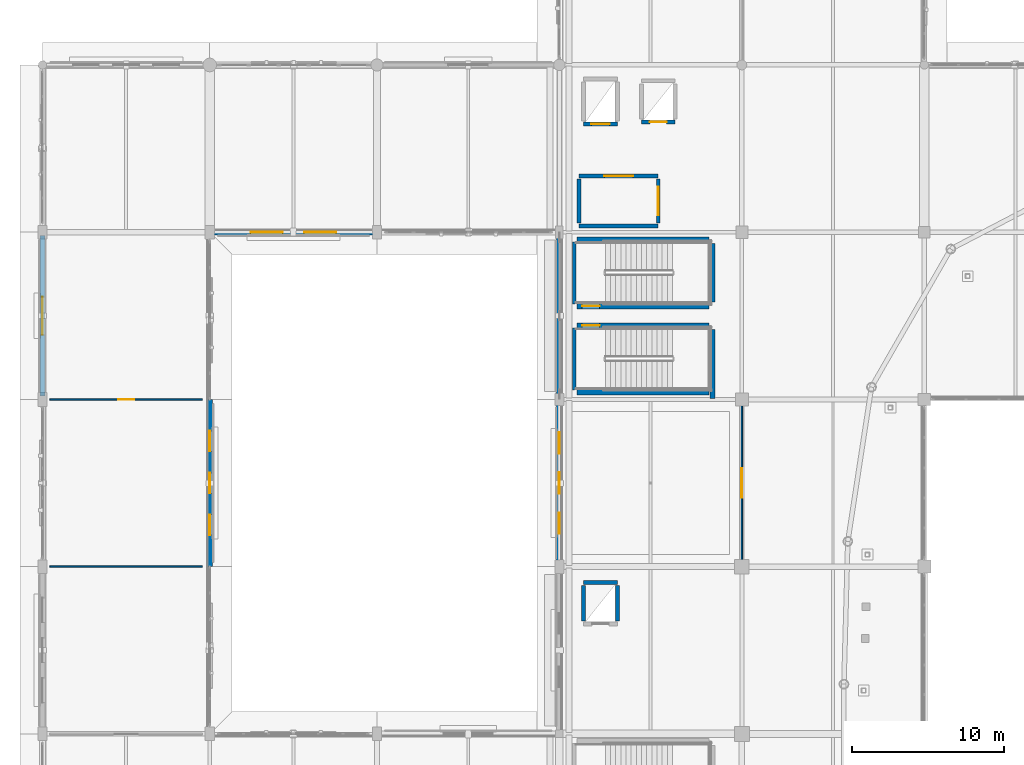
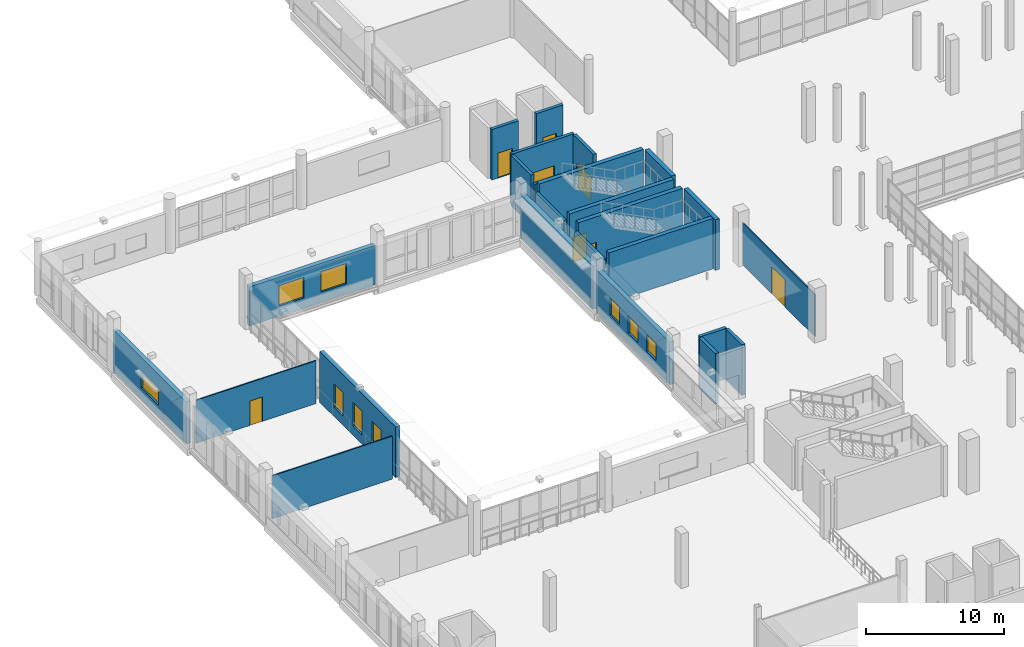
# One storey, part 94 of 143: 25 walls, 9 windows, 8 doors, 17 openings.
"""IFC4 building model written with IfcOpenShell, lengths in metres."""

from ifc_helpers import new_model, si_unit, direction, frame, frame_2d, origin, place, context, subcontext, project, spatial, rectangle, extrude, material, layer, layer_set, type_object, element, fill, save


model = new_model("IFC4")

# Units and contexts
model_context = context("Model", 3, precision=1e-05, world=origin(), true_north=direction((0.0, 1.0)))
body_context = subcontext(model_context, "Body", "Model", "MODEL_VIEW")
ifc_project = project(units=[si_unit("LENGTHUNIT", "METRE"), si_unit("AREAUNIT", "SQUARE_METRE"), si_unit("VOLUMEUNIT", "CUBIC_METRE"), si_unit("PLANEANGLEUNIT", "RADIAN"), si_unit("MASSUNIT", "GRAM", prefix="KILO")], contexts=[model_context])

# Site, building, storey
site_placement = place(None, origin())
site = spatial("IfcSite", under=ifc_project, at=site_placement, CompositionType="ELEMENT")
building_placement = place(site_placement, origin())
building = spatial("IfcBuilding", under=site, at=building_placement, Name="Luwafu Chhajja Arena", CompositionType="ELEMENT")
storey_placement = place(building_placement, frame((0.0, 0.0, 5.39990234375)))
storey = spatial("IfcBuildingStorey", under=building, at=storey_placement, Name="L01", CompositionType="ELEMENT", Elevation=5.39990234375)

# Wall, opening, door
ifc_material_1 = material(Name="Gypsum plasterboard partition")
ifc_layer_1 = layer(ifc_material_1, 0.10009765625, Name="Gypsum plasterboard partition")
ifc_layer_set_1 = layer_set([ifc_layer_1], Name="Gypsum plasterboard partition")
wall_type_1 = type_object("IfcWallType", Name="Drywall Lining Partition 100", PredefinedType="PARTITIONING", material=ifc_layer_set_1)
wall_1_placement = place(storey_placement, frame((0.47998046875, 77.0, 0.0), z_axis=(0.0, 0.0, 1.0), x_axis=(1.0, 0.0, 0.0)))
wall_1 = element("IfcWall", 1, at=wall_1_placement, inside=storey, type_object=wall_type_1, Name="L01 Internal Partition 0216", PredefinedType="PARTITIONING", context=body_context, shape_type="SweptSolid", body=[
    extrude(rectangle(XDim=10.0400390625, YDim=0.10009765625, at=frame_2d((5.02001953125, 0.0))), origin(), (0.0, 0.0, 1.0), 3.7900390625),
])
opening_1_placement = place(wall_1_placement, frame((4.5, 0.0, 0.0)))
opening_1 = element("IfcOpeningElement", 2, at=opening_1_placement, cuts=wall_1, Name="Opening DR-28", PredefinedType="OPENING", context=body_context, shape_type="SweptSolid", body=[
    extrude(rectangle(XDim=1.0400390625, YDim=2.14990234375, at=frame_2d((0.52001953125, 1.074951171875))), frame((0.0, 0.06005859375, 0.0), z_axis=(0.0, -1.0, 0.0), x_axis=(1.0, 0.0, 0.0)), (0.0, 0.0, 1.0), 0.1201171875),
])
ifc_material_2 = material(Name="Moisture-resistant laminate leaf")
door_type_1 = type_object("IfcDoorType", Name="DR-28", OperationType="NOTDEFINED", PredefinedType="DOOR", material=ifc_material_2)
door_1_placement = place(opening_1_placement, origin())
door_1 = element("IfcDoor", 3, at=door_1_placement, inside=storey, type_object=door_type_1, Name="L01 Interior Door L01-D030", OperationType="SINGLE_SWING_RIGHT", OverallHeight=2.14990234375, OverallWidth=1.0400390625, PredefinedType="DOOR", context=body_context, shape_type="SweptSolid", body=[
    extrude(rectangle(XDim=1.0400390625, YDim=2.14990234375, at=frame_2d((0.52001953125, 1.074951171875))), frame((0.0, 0.02490234375, 0.0), z_axis=(0.0, -1.0, 0.0), x_axis=(1.0, 0.0, 0.0)), (0.0, 0.0, 1.0), 0.050048828125),
])
fill(opening_1, door_1)

wall_2_placement = place(storey_placement, frame((46.0, 66.219970703125, 0.0), z_axis=(0.0, 0.0, 1.0), x_axis=(0.0, 1.0, 0.0)))
wall_2 = element("IfcWall", 4, at=wall_2_placement, inside=storey, type_object=wall_type_1, Name="L01 Internal Partition 0223", PredefinedType="PARTITIONING", context=body_context, shape_type="SweptSolid", body=[
    extrude(rectangle(XDim=10.56005859375, YDim=0.10009765625, at=frame_2d((5.280029296875, 0.0))), origin(), (0.0, 0.0, 1.0), 3.70654296875),
])
opening_2_placement = place(wall_2_placement, frame((4.304931640625, 0.0, 0.0)))
opening_2 = element("IfcOpeningElement", 5, at=opening_2_placement, cuts=wall_2, Name="Opening DR-25", PredefinedType="OPENING", context=body_context, shape_type="SweptSolid", body=[
    extrude(rectangle(XDim=1.949951171875, YDim=2.39990234375, at=frame_2d((0.97509765625, 1.199951171875))), frame((0.0, 0.06005859375, 0.0), z_axis=(0.0, -1.0, 0.0), x_axis=(1.0, 0.0, 0.0)), (0.0, 0.0, 1.0), 0.1201171875),
])
ifc_material_3 = material(Name="Anodised bronze glazed double door")
door_type_2 = type_object("IfcDoorType", Name="DR-25", OperationType="DOUBLE_DOOR_SINGLE_SWING", PredefinedType="DOOR", material=ifc_material_3)
door_2_placement = place(opening_2_placement, origin())
door_2 = element("IfcDoor", 6, at=door_2_placement, inside=storey, type_object=door_type_2, Name="L01 Interior Door L01-D034", OperationType="DOUBLE_DOOR_SINGLE_SWING", OverallHeight=2.39990234375, OverallWidth=1.949951171875, PredefinedType="DOOR", context=body_context, shape_type="SweptSolid", body=[
    extrude(rectangle(XDim=1.949951171875, YDim=2.39990234375, at=frame_2d((0.97509765625, 1.199951171875))), frame((0.0, 0.02490234375, 0.0), z_axis=(0.0, -1.0, 0.0), x_axis=(1.0, 0.0, 0.0)), (0.0, 0.0, 1.0), 0.050048828125),
])
fill(opening_2, door_2)

# Wall
wall_3_placement = place(storey_placement, frame((0.47998046875, 66.0, 0.0), z_axis=(0.0, 0.0, 1.0), x_axis=(1.0, 0.0, 0.0)))
element("IfcWall", 7, at=wall_3_placement, inside=storey, type_object=wall_type_1, Name="L01 Internal Partition 0250", PredefinedType="PARTITIONING", context=body_context, shape_type="SweptSolid", body=[
    extrude(rectangle(XDim=10.0400390625, YDim=0.10009765625, at=frame_2d((5.02001953125, 0.0))), origin(), (0.0, 0.0, 1.0), 3.7900390625),
])

# Wall, opening, door
ifc_material_4 = material(Name="Concrete C40/50", Category="concrete")
ifc_layer_2 = layer(ifc_material_4, 0.260009765625, Name="Concrete C40/50")
ifc_layer_set_2 = layer_set([ifc_layer_2], Name="Concrete C40/50")
wall_type_2 = type_object("IfcWallType", Name="Firefighting Lobby Wall 260", PredefinedType="SOLIDWALL", material=ifc_layer_set_2)
wall_4_placement = place(storey_placement, frame((35.300048828125, 91.699951171875, 0.0), z_axis=(0.0, 0.0, 1.0), x_axis=(1.0, 0.0, 0.0)))
wall_4 = element("IfcWall", 8, at=wall_4_placement, inside=storey, type_object=wall_type_2, Name="L01 Core C3 Firefighting Lobby Wall N", PredefinedType="SOLIDWALL", context=body_context, shape_type="SweptSolid", body=[
    extrude(rectangle(XDim=5.199951171875, YDim=0.260009765625, at=frame_2d((2.60009765625, 0.0))), origin(), (0.0, 0.0, 1.0), 4.460205078125),
])
opening_3_placement = place(wall_4_placement, frame((1.64990234375, 0.0, 0.0)))
opening_3 = element("IfcOpeningElement", 9, at=opening_3_placement, cuts=wall_4, Name="Opening DR-07", PredefinedType="OPENING", context=body_context, shape_type="SweptSolid", body=[
    extrude(rectangle(XDim=1.89990234375, YDim=2.199951171875, at=frame_2d((0.949951171875, 1.10009765625))), frame((0.0, 0.139892578125, 0.0), z_axis=(0.0, -1.0, 0.0), x_axis=(1.0, 0.0, 0.0)), (0.0, 0.0, 1.0), 0.280029296875),
])
ifc_material_5 = material(Name="Fire-rated hardwood and vision panel", Category="wood")
door_type_3 = type_object("IfcDoorType", Name="DR-07", OperationType="DOUBLE_DOOR_SINGLE_SWING", PredefinedType="DOOR", material=ifc_material_5)
door_3_placement = place(opening_3_placement, origin())
door_3 = element("IfcDoor", 10, at=door_3_placement, inside=storey, type_object=door_type_3, Name="L01 Firefighting Lobby C3 Door L01-D011", OperationType="DOUBLE_DOOR_SINGLE_SWING", OverallHeight=2.199951171875, OverallWidth=1.89990234375, PredefinedType="DOOR", context=body_context, shape_type="SweptSolid", body=[
    extrude(rectangle(XDim=1.89990234375, YDim=2.199951171875, at=frame_2d((0.949951171875, 1.10009765625))), frame((0.0, 0.02490234375, 0.0), z_axis=(0.0, -1.0, 0.0), x_axis=(1.0, 0.0, 0.0)), (0.0, 0.0, 1.0), 0.050048828125),
])
fill(opening_3, door_3)

# Walls
wall_5_placement = place(storey_placement, frame((35.300048828125, 88.39990234375, 0.0), z_axis=(0.0, 0.0, 1.0), x_axis=(1.0, 0.0, 0.0)))
element("IfcWall", 11, at=wall_5_placement, inside=storey, type_object=wall_type_2, Name="L01 Core C3 Firefighting Lobby Wall S", PredefinedType="SOLIDWALL", context=body_context, shape_type="SweptSolid", body=[
    extrude(rectangle(XDim=5.199951171875, YDim=0.260009765625, at=frame_2d((2.60009765625, 0.0))), origin(), (0.0, 0.0, 1.0), 3.7900390625),
])
wall_6_placement = place(storey_placement, frame((35.300048828125, 88.60009765625, 0.0), z_axis=(0.0, 0.0, 1.0), x_axis=(0.0, 1.0, 0.0)))
element("IfcWall", 12, at=wall_6_placement, inside=storey, type_object=wall_type_2, Name="L01 Core C3 Firefighting Lobby Wall W", PredefinedType="SOLIDWALL", context=body_context, shape_type="SweptSolid", body=[
    extrude(rectangle(XDim=2.89990234375, YDim=0.260009765625, at=frame_2d((1.449951171875, 0.0))), origin(), (0.0, 0.0, 1.0), 4.460205078125),
])

# Wall, opening, door
wall_7_placement = place(storey_placement, frame((40.5, 88.60009765625, 0.0), z_axis=(0.0, 0.0, 1.0), x_axis=(0.0, 1.0, 0.0)))
wall_7 = element("IfcWall", 13, at=wall_7_placement, inside=storey, type_object=wall_type_2, Name="L01 Core C3 Firefighting Lobby Wall E", PredefinedType="SOLIDWALL", context=body_context, shape_type="SweptSolid", body=[
    extrude(rectangle(XDim=2.89990234375, YDim=0.260009765625, at=frame_2d((1.449951171875, 0.0))), origin(), (0.0, 0.0, 1.0), 4.460205078125),
])
opening_4_placement = place(wall_7_placement, frame((0.5, 0.0, 0.0)))
opening_4 = element("IfcOpeningElement", 14, at=opening_4_placement, cuts=wall_7, Name="Opening DR-07", PredefinedType="OPENING", context=body_context, shape_type="SweptSolid", body=[
    extrude(rectangle(XDim=1.89990234375, YDim=2.199951171875, at=frame_2d((0.949951171875, 1.10009765625))), frame((0.0, 0.139892578125, 0.0), z_axis=(0.0, -1.0, 0.0), x_axis=(1.0, 0.0, 0.0)), (0.0, 0.0, 1.0), 0.280029296875),
])
door_4_placement = place(opening_4_placement, origin())
door_4 = element("IfcDoor", 15, at=door_4_placement, inside=storey, type_object=door_type_3, Name="L01 Firefighting Lobby C3 Door L01-D012", OperationType="DOUBLE_DOOR_SINGLE_SWING", OverallHeight=2.199951171875, OverallWidth=1.89990234375, PredefinedType="DOOR", context=body_context, shape_type="SweptSolid", body=[
    extrude(rectangle(XDim=1.89990234375, YDim=2.199951171875, at=frame_2d((0.949951171875, 1.10009765625))), frame((0.0, 0.02490234375, 0.0), z_axis=(0.0, -1.0, 0.0), x_axis=(1.0, 0.0, 0.0)), (0.0, 0.0, 1.0), 0.050048828125),
])
fill(opening_4, door_4)

ifc_material_6 = material(Name="Concrete C35/45", Category="concrete")
ifc_layer_3 = layer(ifc_material_6, 0.260009765625, Name="Concrete C35/45")
ifc_layer_set_3 = layer_set([ifc_layer_3], Name="Concrete C35/45")
wall_type_3 = type_object("IfcWallType", Name="Lift and Riser Shaft Wall 260", PredefinedType="SOLIDWALL", material=ifc_layer_set_3)
wall_8_placement = place(storey_placement, frame((35.590087890625, 95.114990234375, 0.0), z_axis=(0.0, 0.0, 1.0), x_axis=(1.0, 0.0, 0.0)))
wall_8 = element("IfcWall", 16, at=wall_8_placement, inside=storey, type_object=wall_type_3, Name="L01 Lift LF-03 Shaft Wall S", PredefinedType="SOLIDWALL", context=body_context, shape_type="SweptSolid", body=[
    extrude(rectangle(XDim=2.219970703125, YDim=0.260009765625, at=frame_2d((1.10986328125, 0.0))), origin(), (0.0, 0.0, 1.0), 4.460205078125),
])
opening_5_placement = place(wall_8_placement, frame((0.510009765625, 0.0, 0.0)))
opening_5 = element("IfcOpeningElement", 17, at=opening_5_placement, cuts=wall_8, Name="Opening LD-02", PredefinedType="OPENING", context=body_context, shape_type="SweptSolid", body=[
    extrude(rectangle(XDim=1.199951171875, YDim=2.199951171875, at=frame_2d((0.60009765625, 1.10009765625))), frame((0.0, 0.139892578125, 0.0), z_axis=(0.0, -1.0, 0.0), x_axis=(1.0, 0.0, 0.0)), (0.0, 0.0, 1.0), 0.280029296875),
])
ifc_material_7 = material(Name="Brushed stainless steel sliding leaves", Category="steel")
door_type_4 = type_object("IfcDoorType", Name="LD-02", OperationType="SLIDING_TO_LEFT", PredefinedType="DOOR", material=ifc_material_7)
door_5_placement = place(opening_5_placement, origin())
door_5 = element("IfcDoor", 18, at=door_5_placement, inside=storey, type_object=door_type_4, Name="L01 Lift LF-03 Landing Door L01-LD05", OperationType="SLIDING_TO_LEFT", OverallHeight=2.199951171875, OverallWidth=1.199951171875, PredefinedType="DOOR", context=body_context, shape_type="SweptSolid", body=[
    extrude(rectangle(XDim=1.199951171875, YDim=2.199951171875, at=frame_2d((0.60009765625, 1.10009765625))), frame((0.0, 0.02490234375, 0.0), z_axis=(0.0, -1.0, 0.0), x_axis=(1.0, 0.0, 0.0)), (0.0, 0.0, 1.0), 0.050048828125),
])
fill(opening_5, door_5)

wall_9_placement = place(storey_placement, frame((39.389892578125, 95.239990234375, 0.0), z_axis=(0.0, 0.0, 1.0), x_axis=(1.0, 0.0, 0.0)))
wall_9 = element("IfcWall", 19, at=wall_9_placement, inside=storey, type_object=wall_type_3, Name="L01 Lift LF-07 Shaft Wall S", PredefinedType="SOLIDWALL", context=body_context, shape_type="SweptSolid", body=[
    extrude(rectangle(XDim=2.22021484375, YDim=0.260009765625, at=frame_2d((1.110107421875, 0.0))), origin(), (0.0, 0.0, 1.0), 4.460205078125),
])
opening_6_placement = place(wall_9_placement, frame((0.56005859375, 0.0, 0.0)))
opening_6 = element("IfcOpeningElement", 20, at=opening_6_placement, cuts=wall_9, Name="Opening LD-01", PredefinedType="OPENING", context=body_context, shape_type="SweptSolid", body=[
    extrude(rectangle(XDim=1.10009765625, YDim=2.14990234375, at=frame_2d((0.550048828125, 1.074951171875))), frame((0.0, 0.139892578125, 0.0), z_axis=(0.0, -1.0, 0.0), x_axis=(1.0, 0.0, 0.0)), (0.0, 0.0, 1.0), 0.280029296875),
])
door_type_5 = type_object("IfcDoorType", Name="LD-01", OperationType="SLIDING_TO_LEFT", PredefinedType="DOOR", material=ifc_material_7)
door_6_placement = place(opening_6_placement, origin())
door_6 = element("IfcDoor", 21, at=door_6_placement, inside=storey, type_object=door_type_5, Name="L01 Lift LF-07 Landing Door L01-LD06", OperationType="SLIDING_TO_LEFT", OverallHeight=2.14990234375, OverallWidth=1.10009765625, PredefinedType="DOOR", context=body_context, shape_type="SweptSolid", body=[
    extrude(rectangle(XDim=1.10009765625, YDim=2.14990234375, at=frame_2d((0.550048828125, 1.074951171875))), frame((0.0, 0.02490234375, 0.0), z_axis=(0.0, -1.0, 0.0), x_axis=(1.0, 0.0, 0.0)), (0.0, 0.0, 1.0), 0.050048828125),
])
fill(opening_6, door_6)

# Walls
wall_10_placement = place(storey_placement, frame((35.590087890625, 64.9599609375, 0.0), z_axis=(0.0, 0.0, 1.0), x_axis=(1.0, 0.0, 0.0)))
element("IfcWall", 22, at=wall_10_placement, inside=storey, type_object=wall_type_3, Name="L01 Lift LF-09 Shaft Wall N", PredefinedType="SOLIDWALL", context=body_context, shape_type="SweptSolid", body=[
    extrude(rectangle(XDim=2.219970703125, YDim=0.260009765625, at=frame_2d((1.10986328125, 0.0))), origin(), (0.0, 0.0, 1.0), 4.460205078125),
])
for number, where, z_axis, x_axis, name in (
    (23, (35.590087890625, 62.43994140625, 0.0), (0.0, 0.0, 1.0), (0.0, 1.0, 0.0), "L01 Lift LF-09 Shaft Wall W"),
    (24, (37.81005859375, 62.43994140625, 0.0), (0.0, 0.0, 1.0), (0.0, 1.0, 0.0), "L01 Lift LF-09 Shaft Wall E"),
):
    element("IfcWall", number, at=place(storey_placement, frame(where, z_axis=z_axis, x_axis=x_axis)), inside=storey, type_object=wall_type_3, Name=name, PredefinedType="SOLIDWALL", context=body_context, shape_type="SweptSolid", body=[
        extrude(rectangle(XDim=2.320068359375, YDim=0.260009765625, at=frame_2d((1.16015625, 0.0))), origin(), (0.0, 0.0, 1.0), 4.460205078125),
    ])
ifc_layer_4 = layer(ifc_material_4, 0.35009765625, Name="Concrete C40/50")
ifc_layer_set_4 = layer_set([ifc_layer_4], Name="Concrete C40/50")
wall_type_4 = type_object("IfcWallType", Name="RC Core Shear Wall 350", PredefinedType="SOLIDWALL", material=ifc_layer_set_4)
wall_11_placement = place(storey_placement, frame((44.072021484375, 77.050048828125, 0.0), z_axis=(0.0, 0.0, 1.0), x_axis=(0.0, 1.0, 0.0)))
element("IfcWall", 25, at=wall_11_placement, inside=storey, type_object=wall_type_4, Name="L01 Stair ST-05 Core Shear Wall E", PredefinedType="SOLIDWALL", context=body_context, shape_type="SweptSolid", body=[
    extrude(rectangle(XDim=4.5400390625, YDim=0.35009765625, at=frame_2d((2.27001953125, 0.0))), origin(), (0.0, 0.0, 1.0), 4.460205078125),
])
wall_12_placement = place(storey_placement, frame((35.14990234375, 77.47802734375, 0.0), z_axis=(0.0, 0.0, 1.0), x_axis=(1.0, 0.0, 0.0)))
element("IfcWall", 26, at=wall_12_placement, inside=storey, type_object=wall_type_4, Name="L01 Stair ST-05 Core Shear Wall S", PredefinedType="SOLIDWALL", context=body_context, shape_type="SweptSolid", body=[
    extrude(rectangle(XDim=8.7001953125, YDim=0.35009765625, at=frame_2d((4.35009765625, 0.0))), origin(), (0.0, 0.0, 1.0), 4.460205078125),
])

# Wall, opening, door
wall_13_placement = place(storey_placement, frame((35.14990234375, 81.862060546875, 0.0), z_axis=(0.0, 0.0, 1.0), x_axis=(1.0, 0.0, 0.0)))
wall_13 = element("IfcWall", 27, at=wall_13_placement, inside=storey, type_object=wall_type_4, Name="L01 Stair ST-05 Core Shear Wall N", PredefinedType="SOLIDWALL", context=body_context, shape_type="SweptSolid", body=[
    extrude(rectangle(XDim=8.7001953125, YDim=0.35009765625, at=frame_2d((4.35009765625, 0.0))), origin(), (0.0, 0.0, 1.0), 4.460205078125),
])
opening_7_placement = place(wall_13_placement, frame((0.35009765625, 0.0, 0.0)))
opening_7 = element("IfcOpeningElement", 28, at=opening_7_placement, cuts=wall_13, Name="Opening DR-06", PredefinedType="OPENING", context=body_context, shape_type="SweptSolid", body=[
    extrude(rectangle(XDim=1.14990234375, YDim=2.199951171875, at=frame_2d((0.574951171875, 1.10009765625))), frame((0.0, 0.18505859375, 0.0), z_axis=(0.0, -1.0, 0.0), x_axis=(1.0, 0.0, 0.0)), (0.0, 0.0, 1.0), 0.3701171875),
])
ifc_material_8 = material(Name="Fire-rated hardwood and steel core", Category="steel")
door_type_6 = type_object("IfcDoorType", Name="DR-06", OperationType="NOTDEFINED", PredefinedType="DOOR", material=ifc_material_8)
door_7_placement = place(opening_7_placement, origin())
door_7 = element("IfcDoor", 29, at=door_7_placement, inside=storey, type_object=door_type_6, Name="L01 Escape Stair ST-05 Fire Door L01-D009", OperationType="SINGLE_SWING_RIGHT", OverallHeight=2.199951171875, OverallWidth=1.14990234375, PredefinedType="DOOR", context=body_context, shape_type="SweptSolid", body=[
    extrude(rectangle(XDim=1.14990234375, YDim=2.199951171875, at=frame_2d((0.574951171875, 1.10009765625))), frame((0.0, 0.02490234375, 0.0), z_axis=(0.0, -1.0, 0.0), x_axis=(1.0, 0.0, 0.0)), (0.0, 0.0, 1.0), 0.050048828125),
])
fill(opening_7, door_7)

# Wall
wall_14_placement = place(storey_placement, frame((44.072021484375, 83.409912109375, 0.0), z_axis=(0.0, 0.0, 1.0), x_axis=(0.0, 1.0, 0.0)))
element("IfcWall", 30, at=wall_14_placement, inside=storey, type_object=wall_type_4, Name="L01 Stair ST-06 Core Shear Wall E", PredefinedType="SOLIDWALL", context=body_context, shape_type="SweptSolid", body=[
    extrude(rectangle(XDim=3.840087890625, YDim=0.35009765625, at=frame_2d((1.919921875, 0.0))), origin(), (0.0, 0.0, 1.0), 4.460205078125),
])

# Wall, opening, door
wall_15_placement = place(storey_placement, frame((35.14990234375, 83.137939453125, 0.0), z_axis=(0.0, 0.0, 1.0), x_axis=(1.0, 0.0, 0.0)))
wall_15 = element("IfcWall", 31, at=wall_15_placement, inside=storey, type_object=wall_type_4, Name="L01 Stair ST-06 Core Shear Wall S", PredefinedType="SOLIDWALL", context=body_context, shape_type="SweptSolid", body=[
    extrude(rectangle(XDim=8.7001953125, YDim=0.35009765625, at=frame_2d((4.35009765625, 0.0))), origin(), (0.0, 0.0, 1.0), 4.460205078125),
])
opening_8_placement = place(wall_15_placement, frame((0.35009765625, 0.0, 0.0)))
opening_8 = element("IfcOpeningElement", 32, at=opening_8_placement, cuts=wall_15, Name="Opening DR-06", PredefinedType="OPENING", context=body_context, shape_type="SweptSolid", body=[
    extrude(rectangle(XDim=1.14990234375, YDim=2.199951171875, at=frame_2d((0.574951171875, 1.10009765625))), frame((0.0, 0.18505859375, 0.0), z_axis=(0.0, -1.0, 0.0), x_axis=(1.0, 0.0, 0.0)), (0.0, 0.0, 1.0), 0.3701171875),
])
door_8_placement = place(opening_8_placement, origin())
door_8 = element("IfcDoor", 33, at=door_8_placement, inside=storey, type_object=door_type_6, Name="L01 Escape Stair ST-06 Fire Door L01-D010", OperationType="SINGLE_SWING_LEFT", OverallHeight=2.199951171875, OverallWidth=1.14990234375, PredefinedType="DOOR", context=body_context, shape_type="SweptSolid", body=[
    extrude(rectangle(XDim=1.14990234375, YDim=2.199951171875, at=frame_2d((0.574951171875, 1.10009765625))), frame((0.0, 0.02490234375, 0.0), z_axis=(0.0, -1.0, 0.0), x_axis=(1.0, 0.0, 0.0)), (0.0, 0.0, 1.0), 0.050048828125),
])
fill(opening_8, door_8)

# Walls
wall_16_placement = place(storey_placement, frame((35.14990234375, 87.52197265625, 0.0), z_axis=(0.0, 0.0, 1.0), x_axis=(1.0, 0.0, 0.0)))
element("IfcWall", 34, at=wall_16_placement, inside=storey, type_object=wall_type_4, Name="L01 Stair ST-06 Core Shear Wall N", PredefinedType="SOLIDWALL", context=body_context, shape_type="SweptSolid", body=[
    extrude(rectangle(XDim=8.7001953125, YDim=0.35009765625, at=frame_2d((4.35009765625, 0.0))), origin(), (0.0, 0.0, 1.0), 4.460205078125),
])
ifc_layer_5 = layer(ifc_material_4, 0.39990234375, Name="Concrete C40/50")
ifc_layer_set_5 = layer_set([ifc_layer_5], Name="Concrete C40/50")
wall_type_5 = type_object("IfcWallType", Name="RC Core Shear Wall 400", PredefinedType="SOLIDWALL", material=ifc_layer_set_5)
wall_17_placement = place(storey_placement, frame((34.0, 77.219970703125, 0.0), z_axis=(0.0, 0.0, 1.0), x_axis=(0.0, 1.0, 0.0)))
element("IfcWall", 35, at=wall_17_placement, inside=storey, type_object=wall_type_5, Name="L01 Exterior Wall WEX-L01-122", PredefinedType="SOLIDWALL", context=body_context, shape_type="SweptSolid", body=[
    extrude(rectangle(XDim=10.56005859375, YDim=0.39990234375, at=frame_2d((5.280029296875, 0.0))), origin(), (0.0, 0.0, 1.0), 3.77001953125),
])

# Wall, openings, windows
ifc_layer_6 = layer(ifc_material_6, 0.360107421875, Name="Concrete C35/45")
ifc_layer_set_6 = layer_set([ifc_layer_6], Name="Concrete C35/45")
wall_type_6 = type_object("IfcWallType", Name="Sandstone Backed Exterior Wall 360", PredefinedType="SOLIDWALL", material=ifc_layer_set_6)
wall_18_placement = place(storey_placement, frame((11.0, 66.0, 0.0), z_axis=(0.0, 0.0, 1.0), x_axis=(0.0, 1.0, 0.0)))
wall_18 = element("IfcWall", 36, at=wall_18_placement, inside=storey, type_object=wall_type_6, Name="L01 Exterior Wall WEX-L01-111", PredefinedType="SOLIDWALL", context=body_context, shape_type="SweptSolid", body=[
    extrude(rectangle(XDim=11.0, YDim=0.360107421875, at=frame_2d((5.5, 0.0))), origin(), (0.0, 0.0, 1.0), 4.465087890625),
])
opening_9_placement = place(wall_18_placement, frame((2.074951171875, 0.0, 0.800048828125)))
opening_9 = element("IfcOpeningElement", 37, at=opening_9_placement, cuts=wall_18, Name="Opening WN-17", PredefinedType="OPENING", context=body_context, shape_type="SweptSolid", body=[
    extrude(rectangle(XDim=1.35009765625, YDim=2.10009765625, at=frame_2d((0.675048828125, 1.050048828125))), frame((0.0, 0.18994140625, 0.0), z_axis=(0.0, -1.0, 0.0), x_axis=(1.0, 0.0, 0.0)), (0.0, 0.0, 1.0), 0.380126953125),
])
opening_10_placement = place(wall_18_placement, frame((4.824951171875, 0.0, 0.800048828125)))
opening_10 = element("IfcOpeningElement", 38, at=opening_10_placement, cuts=wall_18, Name="Opening WN-17", PredefinedType="OPENING", context=body_context, shape_type="SweptSolid", body=[
    extrude(rectangle(XDim=1.35009765625, YDim=2.10009765625, at=frame_2d((0.675048828125, 1.050048828125))), frame((0.0, 0.18994140625, 0.0), z_axis=(0.0, -1.0, 0.0), x_axis=(1.0, 0.0, 0.0)), (0.0, 0.0, 1.0), 0.380126953125),
])
opening_11_placement = place(wall_18_placement, frame((7.574951171875, 0.0, 0.800048828125)))
opening_11 = element("IfcOpeningElement", 39, at=opening_11_placement, cuts=wall_18, Name="Opening WN-17", PredefinedType="OPENING", context=body_context, shape_type="SweptSolid", body=[
    extrude(rectangle(XDim=1.35009765625, YDim=2.10009765625, at=frame_2d((0.675048828125, 1.050048828125))), frame((0.0, 0.18994140625, 0.0), z_axis=(0.0, -1.0, 0.0), x_axis=(1.0, 0.0, 0.0)), (0.0, 0.0, 1.0), 0.380126953125),
])
ifc_material_9 = material(Name="Solar-control laminated glass", Category="glass")
window_type_1 = type_object("IfcWindowType", Name="Exhibition Mezzanine Lancet Window 1350x2100", PartitioningType="SINGLE_PANEL", PredefinedType="WINDOW", material=ifc_material_9)
window_1_placement = place(opening_9_placement, origin())
window_1 = element("IfcWindow", 40, at=window_1_placement, inside=storey, type_object=window_type_1, Name="L01 Facade Window 016", OverallHeight=2.10009765625, OverallWidth=1.35009765625, PartitioningType="SINGLE_PANEL", PredefinedType="WINDOW", context=body_context, shape_type="SweptSolid", body=[
    extrude(rectangle(XDim=1.35009765625, YDim=2.10009765625, at=frame_2d((0.675048828125, 1.050048828125))), frame((0.0, 0.030029296875, 0.0), z_axis=(0.0, -1.0, 0.0), x_axis=(1.0, 0.0, 0.0)), (0.0, 0.0, 1.0), 0.06005859375),
])
fill(opening_9, window_1)
window_2_placement = place(opening_10_placement, origin())
window_2 = element("IfcWindow", 41, at=window_2_placement, inside=storey, type_object=window_type_1, Name="L01 Facade Window 017", OverallHeight=2.10009765625, OverallWidth=1.35009765625, PartitioningType="SINGLE_PANEL", PredefinedType="WINDOW", context=body_context, shape_type="SweptSolid", body=[
    extrude(rectangle(XDim=1.35009765625, YDim=2.10009765625, at=frame_2d((0.675048828125, 1.050048828125))), frame((0.0, 0.030029296875, 0.0), z_axis=(0.0, -1.0, 0.0), x_axis=(1.0, 0.0, 0.0)), (0.0, 0.0, 1.0), 0.06005859375),
])
fill(opening_10, window_2)
window_3_placement = place(opening_11_placement, origin())
window_3 = element("IfcWindow", 42, at=window_3_placement, inside=storey, type_object=window_type_1, Name="L01 Facade Window 018", OverallHeight=2.10009765625, OverallWidth=1.35009765625, PartitioningType="SINGLE_PANEL", PredefinedType="WINDOW", context=body_context, shape_type="SweptSolid", body=[
    extrude(rectangle(XDim=1.35009765625, YDim=2.10009765625, at=frame_2d((0.675048828125, 1.050048828125))), frame((0.0, 0.030029296875, 0.0), z_axis=(0.0, -1.0, 0.0), x_axis=(1.0, 0.0, 0.0)), (0.0, 0.0, 1.0), 0.06005859375),
])
fill(opening_11, window_3)

# Wall, opening, window
wall_19_placement = place(storey_placement, frame((0.0, 77.219970703125, 0.0), z_axis=(0.0, 0.0, 1.0), x_axis=(0.0, 1.0, 0.0)))
wall_19 = element("IfcWall", 43, at=wall_19_placement, inside=storey, type_object=wall_type_6, Name="L01 Exterior Wall WEX-L01-112", PredefinedType="SOLIDWALL", context=body_context, shape_type="SweptSolid", body=[
    extrude(rectangle(XDim=10.56005859375, YDim=0.360107421875, at=frame_2d((5.280029296875, 0.0))), origin(), (0.0, 0.0, 1.0), 3.70654296875),
])
opening_12_placement = place(wall_19_placement, frame((4.030029296875, 0.0, 1.0)))
opening_12 = element("IfcOpeningElement", 44, at=opening_12_placement, cuts=wall_19, Name="Opening WN-20", PredefinedType="OPENING", context=body_context, shape_type="SweptSolid", body=[
    extrude(rectangle(XDim=2.5, YDim=1.35009765625, at=frame_2d((1.25, 0.675048828125))), frame((0.0, 0.18994140625, 0.0), z_axis=(0.0, -1.0, 0.0), x_axis=(1.0, 0.0, 0.0)), (0.0, 0.0, 1.0), 0.380126953125),
])
window_type_2 = type_object("IfcWindowType", Name="Broadcast Gallery Slot Window 2500x1350", PartitioningType="SINGLE_PANEL", PredefinedType="WINDOW", material=ifc_material_9)
window_4_placement = place(opening_12_placement, origin())
window_4 = element("IfcWindow", 45, at=window_4_placement, inside=storey, type_object=window_type_2, Name="L01 Facade Window 019", OverallHeight=1.35009765625, OverallWidth=2.5, PartitioningType="SINGLE_PANEL", PredefinedType="WINDOW", context=body_context, shape_type="SweptSolid", body=[
    extrude(rectangle(XDim=2.5, YDim=1.35009765625, at=frame_2d((1.25, 0.675048828125))), frame((0.0, 0.030029296875, 0.0), z_axis=(0.0, -1.0, 0.0), x_axis=(1.0, 0.0, 0.0)), (0.0, 0.0, 1.0), 0.06005859375),
])
fill(opening_12, window_4)

# Wall, openings, windows
wall_20_placement = place(storey_placement, frame((11.219970703125, 88.0, 0.0), z_axis=(0.0, 0.0, 1.0), x_axis=(1.0, 0.0, 0.0)))
wall_20 = element("IfcWall", 46, at=wall_20_placement, inside=storey, type_object=wall_type_6, Name="L01 Exterior Wall WEX-L01-115", PredefinedType="SOLIDWALL", context=body_context, shape_type="SweptSolid", body=[
    extrude(rectangle(XDim=10.56005859375, YDim=0.360107421875, at=frame_2d((5.280029296875, 0.0))), origin(), (0.0, 0.0, 1.0), 3.440185546875),
])
opening_13_placement = place(wall_20_placement, frame((2.469970703125, 0.0, 0.89990234375)))
opening_13 = element("IfcOpeningElement", 47, at=opening_13_placement, cuts=wall_20, Name="Opening WN-05", PredefinedType="OPENING", context=body_context, shape_type="SweptSolid", body=[
    extrude(rectangle(XDim=2.10009765625, YDim=1.800048828125, at=frame_2d((1.050048828125, 0.89990234375))), frame((0.0, 0.18994140625, 0.0), z_axis=(0.0, -1.0, 0.0), x_axis=(1.0, 0.0, 0.0)), (0.0, 0.0, 1.0), 0.380126953125),
])
opening_14_placement = place(wall_20_placement, frame((5.989990234375, 0.0, 0.89990234375)))
opening_14 = element("IfcOpeningElement", 48, at=opening_14_placement, cuts=wall_20, Name="Opening WN-05", PredefinedType="OPENING", context=body_context, shape_type="SweptSolid", body=[
    extrude(rectangle(XDim=2.10009765625, YDim=1.800048828125, at=frame_2d((1.050048828125, 0.89990234375))), frame((0.0, 0.18994140625, 0.0), z_axis=(0.0, -1.0, 0.0), x_axis=(1.0, 0.0, 0.0)), (0.0, 0.0, 1.0), 0.380126953125),
])
window_type_3 = type_object("IfcWindowType", Name="Concourse Jali-Shaded Window 2100x1800", PartitioningType="SINGLE_PANEL", PredefinedType="WINDOW", material=ifc_material_9)
window_5_placement = place(opening_13_placement, origin())
window_5 = element("IfcWindow", 49, at=window_5_placement, inside=storey, type_object=window_type_3, Name="L01 Facade Window 026", OverallHeight=1.800048828125, OverallWidth=2.10009765625, PartitioningType="SINGLE_PANEL", PredefinedType="WINDOW", context=body_context, shape_type="SweptSolid", body=[
    extrude(rectangle(XDim=2.10009765625, YDim=1.800048828125, at=frame_2d((1.050048828125, 0.89990234375))), frame((0.0, 0.030029296875, 0.0), z_axis=(0.0, -1.0, 0.0), x_axis=(1.0, 0.0, 0.0)), (0.0, 0.0, 1.0), 0.06005859375),
])
fill(opening_13, window_5)
window_6_placement = place(opening_14_placement, origin())
window_6 = element("IfcWindow", 50, at=window_6_placement, inside=storey, type_object=window_type_3, Name="L01 Facade Window 027", OverallHeight=1.800048828125, OverallWidth=2.10009765625, PartitioningType="SINGLE_PANEL", PredefinedType="WINDOW", context=body_context, shape_type="SweptSolid", body=[
    extrude(rectangle(XDim=2.10009765625, YDim=1.800048828125, at=frame_2d((1.050048828125, 0.89990234375))), frame((0.0, 0.030029296875, 0.0), z_axis=(0.0, -1.0, 0.0), x_axis=(1.0, 0.0, 0.0)), (0.0, 0.0, 1.0), 0.06005859375),
])
fill(opening_14, window_6)

wall_21_placement = place(storey_placement, frame((34.0, 66.219970703125, 0.0), z_axis=(0.0, 0.0, 1.0), x_axis=(0.0, 1.0, 0.0)))
wall_21 = element("IfcWall", 51, at=wall_21_placement, inside=storey, type_object=wall_type_6, Name="L01 Exterior Wall WEX-L01-121", PredefinedType="SOLIDWALL", context=body_context, shape_type="SweptSolid", body=[
    extrude(rectangle(XDim=10.56005859375, YDim=0.360107421875, at=frame_2d((5.280029296875, 0.0))), origin(), (0.0, 0.0, 1.0), 3.77001953125),
])
opening_15_placement = place(wall_21_placement, frame((1.93994140625, 0.0, 0.949951171875)))
opening_15 = element("IfcOpeningElement", 52, at=opening_15_placement, cuts=wall_21, Name="Opening WN-14", PredefinedType="OPENING", context=body_context, shape_type="SweptSolid", body=[
    extrude(rectangle(XDim=1.39990234375, YDim=1.5, at=frame_2d((0.699951171875, 0.75))), frame((0.0, 0.18994140625, 0.0), z_axis=(0.0, -1.0, 0.0), x_axis=(1.0, 0.0, 0.0)), (0.0, 0.0, 1.0), 0.380126953125),
])
opening_16_placement = place(wall_21_placement, frame((4.580078125, 0.0, 0.949951171875)))
opening_16 = element("IfcOpeningElement", 53, at=opening_16_placement, cuts=wall_21, Name="Opening WN-14", PredefinedType="OPENING", context=body_context, shape_type="SweptSolid", body=[
    extrude(rectangle(XDim=1.39990234375, YDim=1.5, at=frame_2d((0.699951171875, 0.75))), frame((0.0, 0.18994140625, 0.0), z_axis=(0.0, -1.0, 0.0), x_axis=(1.0, 0.0, 0.0)), (0.0, 0.0, 1.0), 0.380126953125),
])
opening_17_placement = place(wall_21_placement, frame((7.219970703125, 0.0, 0.949951171875)))
opening_17 = element("IfcOpeningElement", 54, at=opening_17_placement, cuts=wall_21, Name="Opening WN-14", PredefinedType="OPENING", context=body_context, shape_type="SweptSolid", body=[
    extrude(rectangle(XDim=1.39990234375, YDim=1.5, at=frame_2d((0.699951171875, 0.75))), frame((0.0, 0.18994140625, 0.0), z_axis=(0.0, -1.0, 0.0), x_axis=(1.0, 0.0, 0.0)), (0.0, 0.0, 1.0), 0.380126953125),
])
window_type_4 = type_object("IfcWindowType", Name="Sports Medicine Clinic Frosted Window 1400x1500", PartitioningType="SINGLE_PANEL", PredefinedType="WINDOW", material=ifc_material_9)
window_7_placement = place(opening_15_placement, origin())
window_7 = element("IfcWindow", 55, at=window_7_placement, inside=storey, type_object=window_type_4, Name="L01 Facade Window 035", OverallHeight=1.5, OverallWidth=1.39990234375, PartitioningType="SINGLE_PANEL", PredefinedType="WINDOW", context=body_context, shape_type="SweptSolid", body=[
    extrude(rectangle(XDim=1.39990234375, YDim=1.5, at=frame_2d((0.699951171875, 0.75))), frame((0.0, 0.030029296875, 0.0), z_axis=(0.0, -1.0, 0.0), x_axis=(1.0, 0.0, 0.0)), (0.0, 0.0, 1.0), 0.06005859375),
])
fill(opening_15, window_7)
window_8_placement = place(opening_16_placement, origin())
window_8 = element("IfcWindow", 56, at=window_8_placement, inside=storey, type_object=window_type_4, Name="L01 Facade Window 036", OverallHeight=1.5, OverallWidth=1.39990234375, PartitioningType="SINGLE_PANEL", PredefinedType="WINDOW", context=body_context, shape_type="SweptSolid", body=[
    extrude(rectangle(XDim=1.39990234375, YDim=1.5, at=frame_2d((0.699951171875, 0.75))), frame((0.0, 0.030029296875, 0.0), z_axis=(0.0, -1.0, 0.0), x_axis=(1.0, 0.0, 0.0)), (0.0, 0.0, 1.0), 0.06005859375),
])
fill(opening_16, window_8)
window_9_placement = place(opening_17_placement, origin())
window_9 = element("IfcWindow", 57, at=window_9_placement, inside=storey, type_object=window_type_4, Name="L01 Facade Window 037", OverallHeight=1.5, OverallWidth=1.39990234375, PartitioningType="SINGLE_PANEL", PredefinedType="WINDOW", context=body_context, shape_type="SweptSolid", body=[
    extrude(rectangle(XDim=1.39990234375, YDim=1.5, at=frame_2d((0.699951171875, 0.75))), frame((0.0, 0.030029296875, 0.0), z_axis=(0.0, -1.0, 0.0), x_axis=(1.0, 0.0, 0.0)), (0.0, 0.0, 1.0), 0.06005859375),
])
fill(opening_17, window_9)

# Walls
ifc_layer_7 = layer(ifc_material_6, 0.22998046875, Name="Concrete C35/45")
ifc_layer_set_7 = layer_set([ifc_layer_7], Name="Concrete C35/45")
wall_type_7 = type_object("IfcWallType", Name="Stair Enclosure Wall 230", PredefinedType="SOLIDWALL", material=ifc_layer_set_7)
for number, where, z_axis, x_axis, name in (
    (58, (34.9599609375, 77.6298828125, 0.0), (0.0, 0.0, 1.0), (0.0, 1.0, 0.0), "L01 Stair ST-05 Enclosure Wall W"),
    (59, (34.9599609375, 83.2900390625, 0.0), (0.0, 0.0, 1.0), (0.0, 1.0, 0.0), "L01 Stair ST-06 Enclosure Wall W"),
):
    element("IfcWall", number, at=place(storey_placement, frame(where, z_axis=z_axis, x_axis=x_axis)), inside=storey, type_object=wall_type_7, Name=name, PredefinedType="SOLIDWALL", context=body_context, shape_type="SweptSolid", body=[
        extrude(rectangle(XDim=4.080078125, YDim=0.22998046875, at=frame_2d((2.0400390625, 0.0))), origin(), (0.0, 0.0, 1.0), 3.7900390625),
    ])

save(model, "model.ifc")
